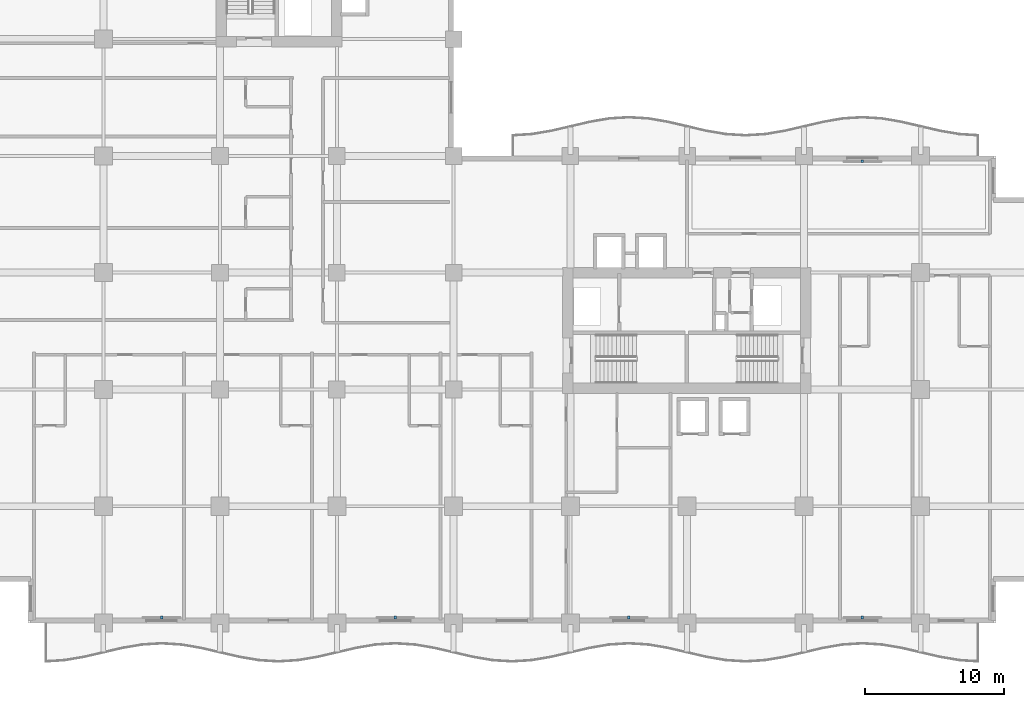
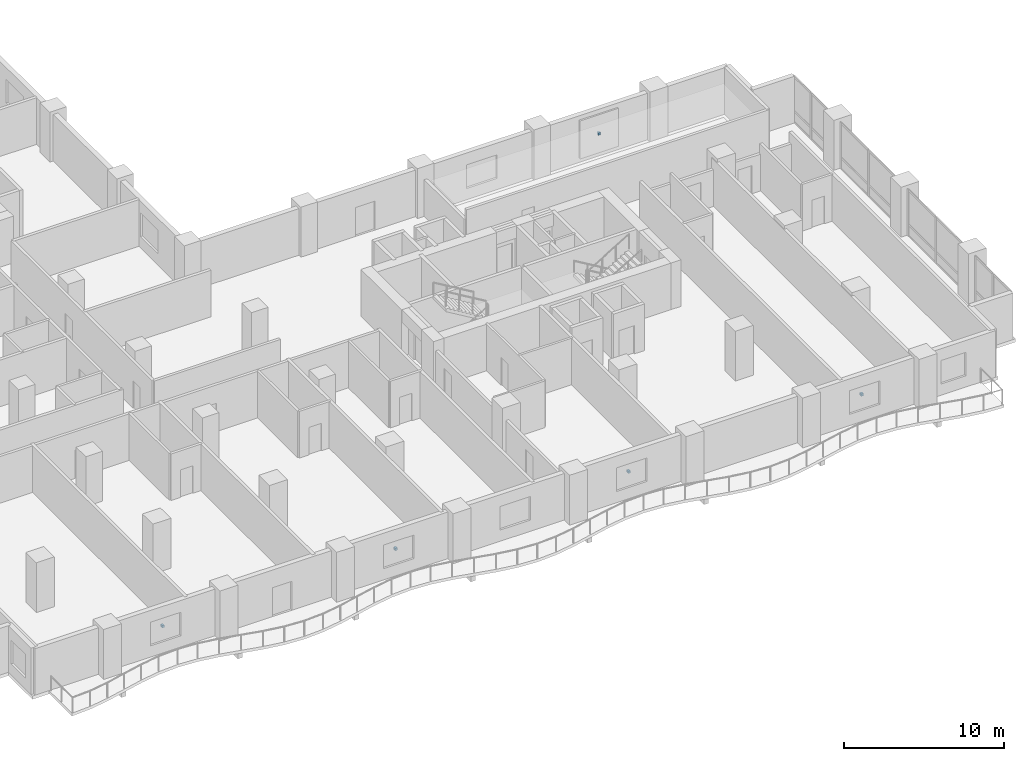
# One storey, part 18 of 23: 5 discrete accessories.
"""IFC4 building model written with IfcOpenShell, lengths in metres."""

from ifc_helpers import new_model, si_unit, direction, frame, origin, origin_2d, place, context, subcontext, project, spatial, rectangle, extrude, material, type_object, element, save


model = new_model("IFC4")

# Units and contexts
model_context = context("Model", 3, precision=1e-05, world=origin(), true_north=direction((0.0, 1.0)))
body_context = subcontext(model_context, "Body", "Model", "MODEL_VIEW")
ifc_project = project(units=[si_unit("LENGTHUNIT", "METRE"), si_unit("AREAUNIT", "SQUARE_METRE"), si_unit("VOLUMEUNIT", "CUBIC_METRE"), si_unit("PLANEANGLEUNIT", "RADIAN"), si_unit("MASSUNIT", "GRAM", prefix="KILO")], contexts=[model_context])

# Site, building, storey
site_placement = place(None, origin())
site = spatial("IfcSite", under=ifc_project, at=site_placement, CompositionType="ELEMENT")
building_placement = place(site_placement, origin())
building = spatial("IfcBuilding", under=site, at=building_placement, Name="Koriwani Terraces Tower", CompositionType="ELEMENT")
storey_placement = place(building_placement, frame((0.0, 0.0, 119.0)))
storey = spatial("IfcBuildingStorey", under=building, at=storey_placement, Name="L28", CompositionType="ELEMENT", Elevation=119.0)

# Discrete accessories
ifc_material = material(Name="Steel ASTM A572 Grade 50", Category="steel")
discrete_accessory_type = type_object("IfcDiscreteAccessoryType", Name="BAGUETTE_STANDOFF_BRACKET", PredefinedType="BRACKET", material=ifc_material)
for number, where, z_axis, x_axis, name in (
    (1, (63.0, 33.2099609375, 1.68505859375), (0.0, 0.0, 1.0), (1.0, 0.0, 0.0), "L28 Terracotta Baguette Bracket (NE-11)"),
    (2, (12.60009765625, 0.389892578125, 1.68505859375), (0.0, 0.0, 1.0), (-1.0, 0.0, 0.0), "L28 Terracotta Baguette Bracket (S-3)"),
    (3, (29.39990234375, 0.389892578125, 1.68505859375), (0.0, 0.0, 1.0), (-1.0, 0.0, 0.0), "L28 Terracotta Baguette Bracket (S-9)"),
    (4, (46.199951171875, 0.389892578125, 1.68505859375), (0.0, 0.0, 1.0), (-1.0, 0.0, 0.0), "L28 Terracotta Baguette Bracket (S-15)"),
    (5, (63.0, 0.389892578125, 1.68505859375), (0.0, 0.0, 1.0), (-1.0, 0.0, 0.0), "L28 Terracotta Baguette Bracket (S-21)"),
):
    element("IfcDiscreteAccessory", number, at=place(storey_placement, frame(where, z_axis=z_axis, x_axis=x_axis)), inside=storey, type_object=discrete_accessory_type, Name=name, PredefinedType="BRACKET", context=body_context, shape_type="SweptSolid", body=[
        extrude(rectangle(XDim=0.159912109375, YDim=0.199951171875, at=origin_2d()), origin(), (0.0, 0.0, 1.0), 0.179931640625),
    ])

save(model, "model.ifc")
